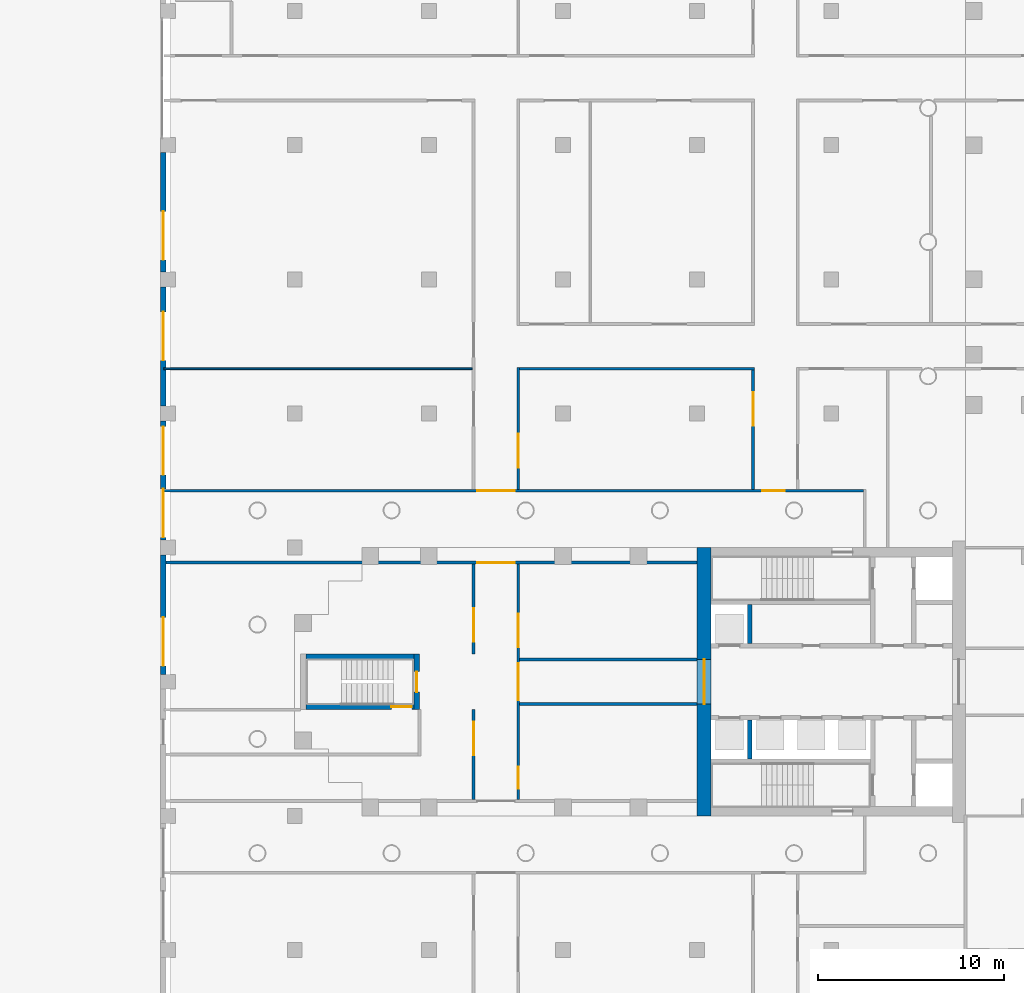
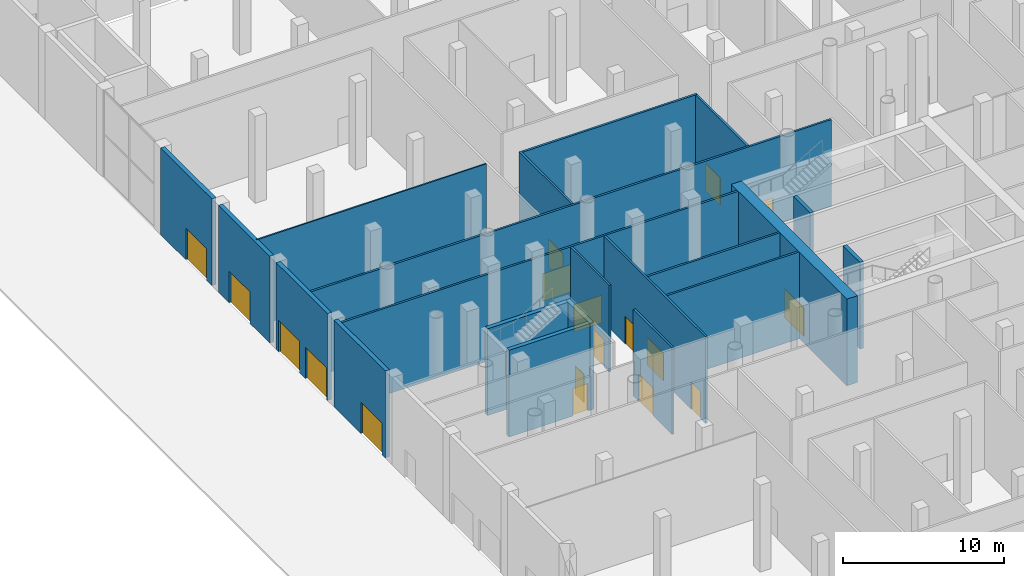
# One storey, part 22 of 44: 21 walls, 18 doors, 18 openings.
"""IFC4 building model written with IfcOpenShell, lengths in metres."""

from ifc_helpers import new_model, si_unit, direction, frame, frame_2d, origin, place, context, subcontext, project, spatial, rectangle, extrude, material, layer, layer_set, type_object, element, fill, save


model = new_model("IFC4")

# Units and contexts
model_context = context("Model", 3, precision=1e-05, world=origin(), true_north=direction((0.0, 1.0)))
body_context = subcontext(model_context, "Body", "Model", "MODEL_VIEW")
ifc_project = project(units=[si_unit("LENGTHUNIT", "METRE"), si_unit("AREAUNIT", "SQUARE_METRE"), si_unit("VOLUMEUNIT", "CUBIC_METRE"), si_unit("PLANEANGLEUNIT", "RADIAN"), si_unit("MASSUNIT", "GRAM", prefix="KILO")], contexts=[model_context])

# Site, building, storey
site_placement = place(None, origin())
site = spatial("IfcSite", under=ifc_project, at=site_placement, CompositionType="ELEMENT")
building_placement = place(site_placement, origin())
building = spatial("IfcBuilding", under=site, at=building_placement, Name="Fustian Cross Tower", CompositionType="ELEMENT")
storey_placement = place(building_placement, origin())
storey = spatial("IfcBuildingStorey", under=building, at=storey_placement, Name="L00", CompositionType="ELEMENT", Elevation=0.0)

# Wall, opening, door
ifc_material_1 = material(Name="Plasterboard on steel stud", Category="steel")
ifc_layer_1 = layer(ifc_material_1, 0.14990234375)
ifc_layer_set_1 = layer_set([ifc_layer_1], Name="Plasterboard on steel stud")
wall_type_1 = type_object("IfcWallType", Name="COMPARTMENT WALL 150 EI 60", PredefinedType="PARTITIONING", material=ifc_layer_set_1)
wall_1_placement = place(storey_placement, frame((-50.219970703125, 6.39990234375, 0.0), z_axis=(0.0, 0.0, 1.0), x_axis=(1.0, 0.0, 0.0)))
wall_1 = element("IfcWall", 1, at=wall_1_placement, inside=storey, type_object=wall_type_1, Name="Partition 8", PredefinedType="PARTITIONING", context=body_context, shape_type="SweptSolid", body=[
    extrude(rectangle(XDim=28.619873046875, YDim=0.14990234375, at=frame_2d((14.31005859375, 0.0))), origin(), (0.0, 0.0, 1.0), 6.60009765625),
])
opening_1_placement = place(wall_1_placement, frame((16.820068359375, 0.0, 0.0)))
opening_1 = element("IfcOpeningElement", 2, at=opening_1_placement, cuts=wall_1, Name="Opening D02022", PredefinedType="OPENING", context=body_context, shape_type="SweptSolid", body=[
    extrude(rectangle(XDim=2.0, YDim=2.10009765625, at=frame_2d((1.0, 1.050048828125))), frame((0.0, 0.0849609375, 0.0), z_axis=(0.0, -1.0, 0.0), x_axis=(1.0, 0.0, 0.0)), (0.0, 0.0, 1.0), 0.169921875),
])
ifc_material_2 = material(Name="Timber fire door set", Category="wood")
door_type_1 = type_object("IfcDoorType", Name="FIRE DOUBLE DOOR 2000 FD30S", OperationType="DOUBLE_DOOR_DOUBLE_SWING", PredefinedType="DOOR", material=ifc_material_2)
door_1_placement = place(opening_1_placement, frame((2.0, 0.0, 0.0), z_axis=(0.0, 0.0, 1.0), x_axis=(-1.0, 0.0, 0.0)))
door_1 = element("IfcDoor", 3, at=door_1_placement, inside=storey, type_object=door_type_1, Name="Door D02022", OperationType="DOUBLE_DOOR_DOUBLE_SWING", OverallHeight=2.10009765625, OverallWidth=2.0, PredefinedType="DOOR", context=body_context, shape_type="SweptSolid", body=[
    extrude(rectangle(XDim=2.0, YDim=2.10009765625, at=frame_2d((1.0, 1.050048828125))), frame((0.0, 0.02490234375, 0.0), z_axis=(0.0, -1.0, 0.0), x_axis=(1.0, 0.0, 0.0)), (0.0, 0.0, 1.0), 0.050048828125),
])
fill(opening_1, door_1)

# Wall, openings, doors
wall_2_placement = place(storey_placement, frame((-50.219970703125, 10.25, 0.0), z_axis=(0.0, 0.0, 1.0), x_axis=(1.0, 0.0, 0.0)))
wall_2 = element("IfcWall", 4, at=wall_2_placement, inside=storey, type_object=wall_type_1, Name="Partition 9", PredefinedType="PARTITIONING", context=body_context, shape_type="SweptSolid", body=[
    extrude(rectangle(XDim=37.544921875, YDim=0.14990234375, at=frame_2d((18.7724609375, 0.0))), origin(), (0.0, 0.0, 1.0), 6.60009765625),
])
opening_2_placement = place(wall_2_placement, frame((16.820068359375, 0.0, 0.0)))
opening_2 = element("IfcOpeningElement", 5, at=opening_2_placement, cuts=wall_2, Name="Opening D02023", PredefinedType="OPENING", context=body_context, shape_type="SweptSolid", body=[
    extrude(rectangle(XDim=2.0, YDim=2.10009765625, at=frame_2d((1.0, 1.050048828125))), frame((0.0, 0.0849609375, 0.0), z_axis=(0.0, -1.0, 0.0), x_axis=(1.0, 0.0, 0.0)), (0.0, 0.0, 1.0), 0.169921875),
])
opening_3_placement = place(wall_2_placement, frame((32.1201171875, 0.0, 0.0)))
opening_3 = element("IfcOpeningElement", 6, at=opening_3_placement, cuts=wall_2, Name="Opening D02024", PredefinedType="OPENING", context=body_context, shape_type="SweptSolid", body=[
    extrude(rectangle(XDim=1.199951171875, YDim=2.10009765625, at=frame_2d((0.60009765625, 1.050048828125))), frame((0.0, 0.0849609375, 0.0), z_axis=(0.0, -1.0, 0.0), x_axis=(1.0, 0.0, 0.0)), (0.0, 0.0, 1.0), 0.169921875),
])
door_2_placement = place(opening_2_placement, origin())
door_2 = element("IfcDoor", 7, at=door_2_placement, inside=storey, type_object=door_type_1, Name="Door D02023", OperationType="DOUBLE_DOOR_DOUBLE_SWING", OverallHeight=2.10009765625, OverallWidth=2.0, PredefinedType="DOOR", context=body_context, shape_type="SweptSolid", body=[
    extrude(rectangle(XDim=2.0, YDim=2.10009765625, at=frame_2d((1.0, 1.050048828125))), frame((0.0, 0.02490234375, 0.0), z_axis=(0.0, -1.0, 0.0), x_axis=(1.0, 0.0, 0.0)), (0.0, 0.0, 1.0), 0.050048828125),
])
fill(opening_2, door_2)
ifc_material_3 = material(Name="Timber fire door set", Category="wood")
door_type_2 = type_object("IfcDoorType", Name="FIRE SWING DOOR 1200 FD30S", OperationType="SINGLE_SWING_LEFT", PredefinedType="DOOR", material=ifc_material_3)
door_3_placement = place(opening_3_placement, origin())
door_3 = element("IfcDoor", 8, at=door_3_placement, inside=storey, type_object=door_type_2, Name="Door D02024", OperationType="SINGLE_SWING_LEFT", OverallHeight=2.10009765625, OverallWidth=1.199951171875, PredefinedType="DOOR", context=body_context, shape_type="SweptSolid", body=[
    extrude(rectangle(XDim=1.199951171875, YDim=2.10009765625, at=frame_2d((0.60009765625, 1.050048828125))), frame((0.0, 0.02490234375, 0.0), z_axis=(0.0, -1.0, 0.0), x_axis=(1.0, 0.0, 0.0)), (0.0, 0.0, 1.0), 0.050048828125),
])
fill(opening_3, door_3)

# Wall, opening, door
wall_3_placement = place(storey_placement, frame((-33.60009765625, -6.324951171875, 0.0), z_axis=(0.0, 0.0, 1.0), x_axis=(0.0, 1.0, 0.0)))
wall_3 = element("IfcWall", 9, at=wall_3_placement, inside=storey, type_object=wall_type_1, Name="Partition 19", PredefinedType="PARTITIONING", context=body_context, shape_type="SweptSolid", body=[
    extrude(rectangle(XDim=4.824951171875, YDim=0.14990234375, at=frame_2d((2.41259765625, 0.0))), origin(), (0.0, 0.0, 1.0), 6.60009765625),
])
opening_4_placement = place(wall_3_placement, frame((2.375, 0.0, 0.0)))
opening_4 = element("IfcOpeningElement", 10, at=opening_4_placement, cuts=wall_3, Name="Opening D02026", PredefinedType="OPENING", context=body_context, shape_type="SweptSolid", body=[
    extrude(rectangle(XDim=1.800048828125, YDim=2.10009765625, at=frame_2d((0.89990234375, 1.050048828125))), frame((0.0, 0.0849609375, 0.0), z_axis=(0.0, -1.0, 0.0), x_axis=(1.0, 0.0, 0.0)), (0.0, 0.0, 1.0), 0.169921875),
])
ifc_material_4 = material(Name="Timber fire door set", Category="wood")
door_type_3 = type_object("IfcDoorType", Name="FIRE DOUBLE DOOR 1800 FD30S", OperationType="DOUBLE_DOOR_DOUBLE_SWING", PredefinedType="DOOR", material=ifc_material_4)
door_4_placement = place(opening_4_placement, frame((1.800048828125, 0.0, 0.0), z_axis=(0.0, 0.0, 1.0), x_axis=(-1.0, 0.0, 0.0)))
door_4 = element("IfcDoor", 11, at=door_4_placement, inside=storey, type_object=door_type_3, Name="Door D02026", OperationType="DOUBLE_DOOR_DOUBLE_SWING", OverallHeight=2.10009765625, OverallWidth=1.800048828125, PredefinedType="DOOR", context=body_context, shape_type="SweptSolid", body=[
    extrude(rectangle(XDim=1.800048828125, YDim=2.10009765625, at=frame_2d((0.89990234375, 1.050048828125))), frame((0.0, 0.02490234375, 0.0), z_axis=(0.0, -1.0, 0.0), x_axis=(1.0, 0.0, 0.0)), (0.0, 0.0, 1.0), 0.050048828125),
])
fill(opening_4, door_4)

wall_4_placement = place(storey_placement, frame((-33.60009765625, 1.5, 0.0), z_axis=(0.0, 0.0, 1.0), x_axis=(0.0, 1.0, 0.0)))
wall_4 = element("IfcWall", 12, at=wall_4_placement, inside=storey, type_object=wall_type_1, Name="Partition 20", PredefinedType="PARTITIONING", context=body_context, shape_type="SweptSolid", body=[
    extrude(rectangle(XDim=4.824951171875, YDim=0.14990234375, at=frame_2d((2.41259765625, 0.0))), origin(), (0.0, 0.0, 1.0), 6.60009765625),
])
opening_5_placement = place(wall_4_placement, frame((0.64990234375, 0.0, 0.0)))
opening_5 = element("IfcOpeningElement", 13, at=opening_5_placement, cuts=wall_4, Name="Opening D02021", PredefinedType="OPENING", context=body_context, shape_type="SweptSolid", body=[
    extrude(rectangle(XDim=1.800048828125, YDim=2.10009765625, at=frame_2d((0.89990234375, 1.050048828125))), frame((0.0, 0.0849609375, 0.0), z_axis=(0.0, -1.0, 0.0), x_axis=(1.0, 0.0, 0.0)), (0.0, 0.0, 1.0), 0.169921875),
])
door_5_placement = place(opening_5_placement, frame((1.800048828125, 0.0, 0.0), z_axis=(0.0, 0.0, 1.0), x_axis=(-1.0, 0.0, 0.0)))
door_5 = element("IfcDoor", 14, at=door_5_placement, inside=storey, type_object=door_type_3, Name="Door D02021", OperationType="DOUBLE_DOOR_DOUBLE_SWING", OverallHeight=2.10009765625, OverallWidth=1.800048828125, PredefinedType="DOOR", context=body_context, shape_type="SweptSolid", body=[
    extrude(rectangle(XDim=1.800048828125, YDim=2.10009765625, at=frame_2d((0.89990234375, 1.050048828125))), frame((0.0, 0.02490234375, 0.0), z_axis=(0.0, -1.0, 0.0), x_axis=(1.0, 0.0, 0.0)), (0.0, 0.0, 1.0), 0.050048828125),
])
fill(opening_5, door_5)

# Wall, openings, doors
wall_5_placement = place(storey_placement, frame((-31.199951171875, -6.324951171875, 0.0), z_axis=(0.0, 0.0, 1.0), x_axis=(0.0, 1.0, 0.0)))
wall_5 = element("IfcWall", 15, at=wall_5_placement, inside=storey, type_object=wall_type_1, Name="Partition 28", PredefinedType="PARTITIONING", context=body_context, shape_type="SweptSolid", body=[
    extrude(rectangle(XDim=12.64990234375, YDim=0.14990234375, at=frame_2d((6.324951171875, 0.0))), origin(), (0.0, 0.0, 1.0), 6.60009765625),
])
opening_6_placement = place(wall_5_placement, frame((5.324951171875, 0.0, 0.0)))
opening_6 = element("IfcOpeningElement", 16, at=opening_6_placement, cuts=wall_5, Name="Opening D02034", PredefinedType="OPENING", context=body_context, shape_type="SweptSolid", body=[
    extrude(rectangle(XDim=2.0, YDim=2.10009765625, at=frame_2d((1.0, 1.050048828125))), frame((0.0, 0.0849609375, 0.0), z_axis=(0.0, -1.0, 0.0), x_axis=(1.0, 0.0, 0.0)), (0.0, 0.0, 1.0), 0.169921875),
])
opening_7_placement = place(wall_5_placement, frame((8.175048828125, 0.0, 0.0)))
opening_7 = element("IfcOpeningElement", 17, at=opening_7_placement, cuts=wall_5, Name="Opening D02069", PredefinedType="OPENING", context=body_context, shape_type="SweptSolid", body=[
    extrude(rectangle(XDim=1.800048828125, YDim=2.10009765625, at=frame_2d((0.89990234375, 1.050048828125))), frame((0.0, 0.0849609375, 0.0), z_axis=(0.0, -1.0, 0.0), x_axis=(1.0, 0.0, 0.0)), (0.0, 0.0, 1.0), 0.169921875),
])
opening_8_placement = place(wall_5_placement, frame((0.574951171875, 0.0, 0.0)))
opening_8 = element("IfcOpeningElement", 18, at=opening_8_placement, cuts=wall_5, Name="Opening D02097", PredefinedType="OPENING", context=body_context, shape_type="SweptSolid", body=[
    extrude(rectangle(XDim=1.199951171875, YDim=2.10009765625, at=frame_2d((0.60009765625, 1.050048828125))), frame((0.0, 0.0849609375, 0.0), z_axis=(0.0, -1.0, 0.0), x_axis=(1.0, 0.0, 0.0)), (0.0, 0.0, 1.0), 0.169921875),
])
door_6_placement = place(opening_7_placement, origin())
door_6 = element("IfcDoor", 19, at=door_6_placement, inside=storey, type_object=door_type_3, Name="Door D02069", OperationType="DOUBLE_DOOR_DOUBLE_SWING", OverallHeight=2.10009765625, OverallWidth=1.800048828125, PredefinedType="DOOR", context=body_context, shape_type="SweptSolid", body=[
    extrude(rectangle(XDim=1.800048828125, YDim=2.10009765625, at=frame_2d((0.89990234375, 1.050048828125))), frame((0.0, 0.02490234375, 0.0), z_axis=(0.0, -1.0, 0.0), x_axis=(1.0, 0.0, 0.0)), (0.0, 0.0, 1.0), 0.050048828125),
])
fill(opening_7, door_6)
door_7_placement = place(opening_6_placement, origin())
door_7 = element("IfcDoor", 20, at=door_7_placement, inside=storey, type_object=door_type_1, Name="Door D02034", OperationType="DOUBLE_DOOR_DOUBLE_SWING", OverallHeight=2.10009765625, OverallWidth=2.0, PredefinedType="DOOR", context=body_context, shape_type="SweptSolid", body=[
    extrude(rectangle(XDim=2.0, YDim=2.10009765625, at=frame_2d((1.0, 1.050048828125))), frame((0.0, 0.02490234375, 0.0), z_axis=(0.0, -1.0, 0.0), x_axis=(1.0, 0.0, 0.0)), (0.0, 0.0, 1.0), 0.050048828125),
])
fill(opening_6, door_7)
door_8_placement = place(opening_8_placement, frame((1.199951171875, 0.0, 0.0), z_axis=(0.0, 0.0, 1.0), x_axis=(-1.0, 0.0, 0.0)))
door_8 = element("IfcDoor", 21, at=door_8_placement, inside=storey, type_object=door_type_2, Name="Door D02097", OperationType="SINGLE_SWING_RIGHT", OverallHeight=2.10009765625, OverallWidth=1.199951171875, PredefinedType="DOOR", context=body_context, shape_type="SweptSolid", body=[
    extrude(rectangle(XDim=1.199951171875, YDim=2.10009765625, at=frame_2d((0.60009765625, 1.050048828125))), frame((0.0, 0.02490234375, 0.0), z_axis=(0.0, -1.0, 0.0), x_axis=(1.0, 0.0, 0.0)), (0.0, 0.0, 1.0), 0.050048828125),
])
fill(opening_8, door_8)

# Walls
for number, where, z_axis, x_axis, name in (
    (22, (-31.125, -1.199951171875, 0.0), (0.0, 0.0, 1.0), (1.0, 0.0, 0.0), "Partition 29"),
    (23, (-31.125, 1.199951171875, 0.0), (0.0, 0.0, 1.0), (1.0, 0.0, 0.0), "Partition 30"),
):
    element("IfcWall", number, at=place(storey_placement, frame(where, z_axis=z_axis, x_axis=x_axis)), inside=storey, type_object=wall_type_1, Name=name, PredefinedType="PARTITIONING", context=body_context, shape_type="SweptSolid", body=[
        extrude(rectangle(XDim=9.52490234375, YDim=0.14990234375, at=frame_2d((4.762451171875, 0.0))), origin(), (0.0, 0.0, 1.0), 6.60009765625),
    ])

# Wall, opening, door
wall_6_placement = place(storey_placement, frame((-31.199951171875, 10.324951171875, 0.0), z_axis=(0.0, 0.0, 1.0), x_axis=(0.0, 1.0, 0.0)))
wall_6 = element("IfcWall", 24, at=wall_6_placement, inside=storey, type_object=wall_type_1, Name="Partition 31", PredefinedType="PARTITIONING", context=body_context, shape_type="SweptSolid", body=[
    extrude(rectangle(XDim=6.550048828125, YDim=0.14990234375, at=frame_2d((3.27490234375, 0.0))), origin(), (0.0, 0.0, 1.0), 6.60009765625),
])
opening_9_placement = place(wall_6_placement, frame((1.175048828125, 0.0, 0.0)))
opening_9 = element("IfcOpeningElement", 25, at=opening_9_placement, cuts=wall_6, Name="Opening D02070", PredefinedType="OPENING", context=body_context, shape_type="SweptSolid", body=[
    extrude(rectangle(XDim=1.800048828125, YDim=2.10009765625, at=frame_2d((0.89990234375, 1.050048828125))), frame((0.0, 0.0849609375, 0.0), z_axis=(0.0, -1.0, 0.0), x_axis=(1.0, 0.0, 0.0)), (0.0, 0.0, 1.0), 0.169921875),
])
door_9_placement = place(opening_9_placement, origin())
door_9 = element("IfcDoor", 26, at=door_9_placement, inside=storey, type_object=door_type_3, Name="Door D02070", OperationType="DOUBLE_DOOR_DOUBLE_SWING", OverallHeight=2.10009765625, OverallWidth=1.800048828125, PredefinedType="DOOR", context=body_context, shape_type="SweptSolid", body=[
    extrude(rectangle(XDim=1.800048828125, YDim=2.10009765625, at=frame_2d((0.89990234375, 1.050048828125))), frame((0.0, 0.02490234375, 0.0), z_axis=(0.0, -1.0, 0.0), x_axis=(1.0, 0.0, 0.0)), (0.0, 0.0, 1.0), 0.050048828125),
])
fill(opening_9, door_9)

# Wall
wall_7_placement = place(storey_placement, frame((-31.125, 16.800048828125, 0.0), z_axis=(0.0, 0.0, 1.0), x_axis=(1.0, 0.0, 0.0)))
element("IfcWall", 27, at=wall_7_placement, inside=storey, type_object=wall_type_1, Name="Partition 32", PredefinedType="PARTITIONING", context=body_context, shape_type="SweptSolid", body=[
    extrude(rectangle(XDim=12.60009765625, YDim=0.14990234375, at=frame_2d((6.300048828125, 0.0))), origin(), (0.0, 0.0, 1.0), 6.60009765625),
])

# Wall, opening, door
wall_8_placement = place(storey_placement, frame((-18.60009765625, 10.324951171875, 0.0), z_axis=(0.0, 0.0, 1.0), x_axis=(0.0, 1.0, 0.0)))
wall_8 = element("IfcWall", 28, at=wall_8_placement, inside=storey, type_object=wall_type_1, Name="Partition 41", PredefinedType="PARTITIONING", context=body_context, shape_type="SweptSolid", body=[
    extrude(rectangle(XDim=6.400146484375, YDim=0.14990234375, at=frame_2d((3.2001953125, 0.0))), origin(), (0.0, 0.0, 1.0), 6.60009765625),
])
opening_10_placement = place(wall_8_placement, frame((3.425048828125, 0.0, 0.0)))
opening_10 = element("IfcOpeningElement", 29, at=opening_10_placement, cuts=wall_8, Name="Opening D02071", PredefinedType="OPENING", context=body_context, shape_type="SweptSolid", body=[
    extrude(rectangle(XDim=1.800048828125, YDim=2.10009765625, at=frame_2d((0.89990234375, 1.050048828125))), frame((0.0, 0.0849609375, 0.0), z_axis=(0.0, -1.0, 0.0), x_axis=(1.0, 0.0, 0.0)), (0.0, 0.0, 1.0), 0.169921875),
])
door_10_placement = place(opening_10_placement, frame((1.800048828125, 0.0, 0.0), z_axis=(0.0, 0.0, 1.0), x_axis=(-1.0, 0.0, 0.0)))
door_10 = element("IfcDoor", 30, at=door_10_placement, inside=storey, type_object=door_type_3, Name="Door D02071", OperationType="DOUBLE_DOOR_DOUBLE_SWING", OverallHeight=2.10009765625, OverallWidth=1.800048828125, PredefinedType="DOOR", context=body_context, shape_type="SweptSolid", body=[
    extrude(rectangle(XDim=1.800048828125, YDim=2.10009765625, at=frame_2d((0.89990234375, 1.050048828125))), frame((0.0, 0.02490234375, 0.0), z_axis=(0.0, -1.0, 0.0), x_axis=(1.0, 0.0, 0.0)), (0.0, 0.0, 1.0), 0.050048828125),
])
fill(opening_10, door_10)

ifc_material_5 = material(Name="Concrete C80/95", Category="concrete")
ifc_layer_2 = layer(ifc_material_5, 0.75)
ifc_layer_set_2 = layer_set([ifc_layer_2], Name="Concrete C80/95")
wall_type_2 = type_object("IfcWallType", Name="CORE END WALL 750 C80/95", PredefinedType="SHEAR", material=ifc_layer_set_2)
wall_9_placement = place(storey_placement, frame((-21.22509765625, -7.199951171875, 0.0), z_axis=(0.0, 0.0, 1.0), x_axis=(0.0, 1.0, 0.0)))
wall_9 = element("IfcWall", 31, at=wall_9_placement, inside=storey, type_object=wall_type_2, Name="Core end wall", PredefinedType="SHEAR", context=body_context, shape_type="SweptSolid", body=[
    extrude(rectangle(XDim=14.39990234375, YDim=0.75, at=frame_2d((7.199951171875, 0.0))), origin(), (0.0, 0.0, 1.0), 6.60009765625),
])
opening_11_placement = place(wall_9_placement, frame((6.0, 0.0, 0.0)))
opening_11 = element("IfcOpeningElement", 32, at=opening_11_placement, cuts=wall_9, Name="Opening CD-02-31", PredefinedType="OPENING", context=body_context, shape_type="SweptSolid", body=[
    extrude(rectangle(XDim=2.39990234375, YDim=2.199951171875, at=frame_2d((1.199951171875, 1.10009765625))), frame((0.0, 0.385009765625, 0.0), z_axis=(0.0, -1.0, 0.0), x_axis=(1.0, 0.0, 0.0)), (0.0, 0.0, 1.0), 0.77001953125),
])
ifc_material_6 = material(Name="Steel", Category="steel")
door_type_4 = type_object("IfcDoorType", Name="FIRE DOOR FD30S DOUBLE 2400X2200", OperationType="DOUBLE_DOOR_DOUBLE_SWING", PredefinedType="DOOR", material=ifc_material_6)
door_11_placement = place(opening_11_placement, frame((2.39990234375, 0.0, 0.0), z_axis=(0.0, 0.0, 1.0), x_axis=(-1.0, 0.0, 0.0)))
door_11 = element("IfcDoor", 33, at=door_11_placement, inside=storey, type_object=door_type_4, Name="Core door CD-02-31", OperationType="DOUBLE_DOOR_DOUBLE_SWING", OverallHeight=2.199951171875, OverallWidth=2.39990234375, PredefinedType="DOOR", context=body_context, shape_type="SweptSolid", body=[
    extrude(rectangle(XDim=2.39990234375, YDim=2.199951171875, at=frame_2d((1.199951171875, 1.10009765625))), frame((0.0, 0.02490234375, 0.0), z_axis=(0.0, -1.0, 0.0), x_axis=(1.0, 0.0, 0.0)), (0.0, 0.0, 1.0), 0.050048828125),
])
fill(opening_11, door_11)

ifc_material_7 = material(Name="Dark rainscreen cladding on blockwork", Category="masonry")
ifc_layer_3 = layer(ifc_material_7, 0.300048828125)
ifc_layer_set_3 = layer_set([ifc_layer_3], Name="Dark rainscreen cladding on blockwork")
wall_type_3 = type_object("IfcWallType", Name="EXTERNAL WALL 300 CLADDING", PredefinedType="SOLIDWALL", material=ifc_layer_set_3)
wall_10_placement = place(storey_placement, frame((-50.25, 28.39990234375, 0.0), z_axis=(0.0, 0.0, 1.0), x_axis=(0.0, -1.0, 0.0)))
wall_10 = element("IfcWall", 34, at=wall_10_placement, inside=storey, type_object=wall_type_3, Name="External wall W4", PredefinedType="SOLIDWALL", context=body_context, shape_type="SweptSolid", body=[
    extrude(rectangle(XDim=6.39990234375, YDim=0.300048828125, at=frame_2d((3.199951171875, 0.0))), origin(), (0.0, 0.0, 1.0), 6.60009765625),
])
opening_12_placement = place(wall_10_placement, frame((3.14990234375, 0.0, 0.0)))
opening_12 = element("IfcOpeningElement", 35, at=opening_12_placement, cuts=wall_10, Name="Opening EDP44", PredefinedType="OPENING", context=body_context, shape_type="SweptSolid", body=[
    extrude(rectangle(XDim=2.60009765625, YDim=2.39990234375, at=frame_2d((1.300048828125, 1.199951171875))), frame((0.0, 0.159912109375, 0.0), z_axis=(0.0, -1.0, 0.0), x_axis=(1.0, 0.0, 0.0)), (0.0, 0.0, 1.0), 0.320068359375),
])
ifc_material_8 = material(Name="Aluminium and glass", Category="aluminium")
door_type_5 = type_object("IfcDoorType", Name="ENTRANCE DOOR 2600", OperationType="DOUBLE_DOOR_SINGLE_SWING", PredefinedType="DOOR", material=ifc_material_8)
door_12_placement = place(opening_12_placement, frame((2.60009765625, 0.0, 0.0), z_axis=(0.0, 0.0, 1.0), x_axis=(-1.0, 0.0, 0.0)))
door_12 = element("IfcDoor", 36, at=door_12_placement, inside=storey, type_object=door_type_5, Name="Exit door 44", OperationType="DOUBLE_DOOR_DOUBLE_SWING", OverallHeight=2.39990234375, OverallWidth=2.60009765625, PredefinedType="DOOR", context=body_context, shape_type="SweptSolid", body=[
    extrude(rectangle(XDim=2.60009765625, YDim=2.39990234375, at=frame_2d((1.300048828125, 1.199951171875))), frame((0.0, 0.02490234375, 0.0), z_axis=(0.0, -1.0, 0.0), x_axis=(1.0, 0.0, 0.0)), (0.0, 0.0, 1.0), 0.050048828125),
])
fill(opening_12, door_12)

wall_11_placement = place(storey_placement, frame((-50.25, 21.199951171875, 0.0), z_axis=(0.0, 0.0, 1.0), x_axis=(0.0, -1.0, 0.0)))
wall_11 = element("IfcWall", 37, at=wall_11_placement, inside=storey, type_object=wall_type_3, Name="External wall W5", PredefinedType="SOLIDWALL", context=body_context, shape_type="SweptSolid", body=[
    extrude(rectangle(XDim=6.39990234375, YDim=0.300048828125, at=frame_2d((3.199951171875, 0.0))), origin(), (0.0, 0.0, 1.0), 6.60009765625),
])
opening_13_placement = place(wall_11_placement, frame((1.35009765625, 0.0, 0.0)))
opening_13 = element("IfcOpeningElement", 38, at=opening_13_placement, cuts=wall_11, Name="Opening EDP45", PredefinedType="OPENING", context=body_context, shape_type="SweptSolid", body=[
    extrude(rectangle(XDim=2.60009765625, YDim=2.39990234375, at=frame_2d((1.300048828125, 1.199951171875))), frame((0.0, 0.159912109375, 0.0), z_axis=(0.0, -1.0, 0.0), x_axis=(1.0, 0.0, 0.0)), (0.0, 0.0, 1.0), 0.320068359375),
])
door_13_placement = place(opening_13_placement, frame((2.60009765625, 0.0, 0.0), z_axis=(0.0, 0.0, 1.0), x_axis=(-1.0, 0.0, 0.0)))
door_13 = element("IfcDoor", 39, at=door_13_placement, inside=storey, type_object=door_type_5, Name="Exit door 45", OperationType="DOUBLE_DOOR_DOUBLE_SWING", OverallHeight=2.39990234375, OverallWidth=2.60009765625, PredefinedType="DOOR", context=body_context, shape_type="SweptSolid", body=[
    extrude(rectangle(XDim=2.60009765625, YDim=2.39990234375, at=frame_2d((1.300048828125, 1.199951171875))), frame((0.0, 0.02490234375, 0.0), z_axis=(0.0, -1.0, 0.0), x_axis=(1.0, 0.0, 0.0)), (0.0, 0.0, 1.0), 0.050048828125),
])
fill(opening_13, door_13)

# Wall, openings, doors
wall_12_placement = place(storey_placement, frame((-50.25, 14.0, 0.0), z_axis=(0.0, 0.0, 1.0), x_axis=(0.0, -1.0, 0.0)))
wall_12 = element("IfcWall", 40, at=wall_12_placement, inside=storey, type_object=wall_type_3, Name="External wall W6", PredefinedType="SOLIDWALL", context=body_context, shape_type="SweptSolid", body=[
    extrude(rectangle(XDim=6.39990234375, YDim=0.300048828125, at=frame_2d((3.199951171875, 0.0))), origin(), (0.0, 0.0, 1.0), 6.60009765625),
])
opening_14_placement = place(wall_12_placement, frame((0.300048828125, 0.0, 0.0)))
opening_14 = element("IfcOpeningElement", 41, at=opening_14_placement, cuts=wall_12, Name="Opening EDP46", PredefinedType="OPENING", context=body_context, shape_type="SweptSolid", body=[
    extrude(rectangle(XDim=2.60009765625, YDim=2.39990234375, at=frame_2d((1.300048828125, 1.199951171875))), frame((0.0, 0.159912109375, 0.0), z_axis=(0.0, -1.0, 0.0), x_axis=(1.0, 0.0, 0.0)), (0.0, 0.0, 1.0), 0.320068359375),
])
opening_15_placement = place(wall_12_placement, frame((3.64990234375, 0.0, 0.0)))
opening_15 = element("IfcOpeningElement", 42, at=opening_15_placement, cuts=wall_12, Name="Opening EDP47", PredefinedType="OPENING", context=body_context, shape_type="SweptSolid", body=[
    extrude(rectangle(XDim=2.60009765625, YDim=2.39990234375, at=frame_2d((1.300048828125, 1.199951171875))), frame((0.0, 0.159912109375, 0.0), z_axis=(0.0, -1.0, 0.0), x_axis=(1.0, 0.0, 0.0)), (0.0, 0.0, 1.0), 0.320068359375),
])
door_14_placement = place(opening_14_placement, frame((2.60009765625, 0.0, 0.0), z_axis=(0.0, 0.0, 1.0), x_axis=(-1.0, 0.0, 0.0)))
door_14 = element("IfcDoor", 43, at=door_14_placement, inside=storey, type_object=door_type_5, Name="Exit door 46", OperationType="DOUBLE_DOOR_DOUBLE_SWING", OverallHeight=2.39990234375, OverallWidth=2.60009765625, PredefinedType="DOOR", context=body_context, shape_type="SweptSolid", body=[
    extrude(rectangle(XDim=2.60009765625, YDim=2.39990234375, at=frame_2d((1.300048828125, 1.199951171875))), frame((0.0, 0.02490234375, 0.0), z_axis=(0.0, -1.0, 0.0), x_axis=(1.0, 0.0, 0.0)), (0.0, 0.0, 1.0), 0.050048828125),
])
fill(opening_14, door_14)
door_15_placement = place(opening_15_placement, frame((2.60009765625, 0.0, 0.0), z_axis=(0.0, 0.0, 1.0), x_axis=(-1.0, 0.0, 0.0)))
door_15 = element("IfcDoor", 44, at=door_15_placement, inside=storey, type_object=door_type_5, Name="Exit door 47", OperationType="DOUBLE_DOOR_DOUBLE_SWING", OverallHeight=2.39990234375, OverallWidth=2.60009765625, PredefinedType="DOOR", context=body_context, shape_type="SweptSolid", body=[
    extrude(rectangle(XDim=2.60009765625, YDim=2.39990234375, at=frame_2d((1.300048828125, 1.199951171875))), frame((0.0, 0.02490234375, 0.0), z_axis=(0.0, -1.0, 0.0), x_axis=(1.0, 0.0, 0.0)), (0.0, 0.0, 1.0), 0.050048828125),
])
fill(opening_15, door_15)

# Wall, opening, door
wall_13_placement = place(storey_placement, frame((-50.25, 6.800048828125, 0.0), z_axis=(0.0, 0.0, 1.0), x_axis=(0.0, -1.0, 0.0)))
wall_13 = element("IfcWall", 45, at=wall_13_placement, inside=storey, type_object=wall_type_3, Name="External wall W7", PredefinedType="SOLIDWALL", context=body_context, shape_type="SweptSolid", body=[
    extrude(rectangle(XDim=6.400146484375, YDim=0.300048828125, at=frame_2d((3.2001953125, 0.0))), origin(), (0.0, 0.0, 1.0), 6.60009765625),
])
opening_16_placement = place(wall_13_placement, frame((3.35009765625, 0.0, 0.0)))
opening_16 = element("IfcOpeningElement", 46, at=opening_16_placement, cuts=wall_13, Name="Opening EDP48", PredefinedType="OPENING", context=body_context, shape_type="SweptSolid", body=[
    extrude(rectangle(XDim=2.60009765625, YDim=2.39990234375, at=frame_2d((1.300048828125, 1.199951171875))), frame((0.0, 0.159912109375, 0.0), z_axis=(0.0, -1.0, 0.0), x_axis=(1.0, 0.0, 0.0)), (0.0, 0.0, 1.0), 0.320068359375),
])
door_16_placement = place(opening_16_placement, frame((2.60009765625, 0.0, 0.0), z_axis=(0.0, 0.0, 1.0), x_axis=(-1.0, 0.0, 0.0)))
door_16 = element("IfcDoor", 47, at=door_16_placement, inside=storey, type_object=door_type_5, Name="Exit door 48", OperationType="DOUBLE_DOOR_DOUBLE_SWING", OverallHeight=2.39990234375, OverallWidth=2.60009765625, PredefinedType="DOOR", context=body_context, shape_type="SweptSolid", body=[
    extrude(rectangle(XDim=2.60009765625, YDim=2.39990234375, at=frame_2d((1.300048828125, 1.199951171875))), frame((0.0, 0.02490234375, 0.0), z_axis=(0.0, -1.0, 0.0), x_axis=(1.0, 0.0, 0.0)), (0.0, 0.0, 1.0), 0.050048828125),
])
fill(opening_16, door_16)

# Walls
ifc_material_9 = material(Name="Plasterboard on steel stud", Category="steel")
ifc_layer_4 = layer(ifc_material_9, 0.10009765625)
ifc_layer_set_4 = layer_set([ifc_layer_4], Name="Plasterboard on steel stud")
wall_type_4 = type_object("IfcWallType", Name="PARTITION 100 STUD", PredefinedType="PARTITIONING", material=ifc_layer_set_4)
wall_14_placement = place(storey_placement, frame((-50.219970703125, 16.800048828125, 0.0), z_axis=(0.0, 0.0, 1.0), x_axis=(1.0, 0.0, 0.0)))
element("IfcWall", 48, at=wall_14_placement, inside=storey, type_object=wall_type_4, Name="Partition 10", PredefinedType="PARTITIONING", context=body_context, shape_type="SweptSolid", body=[
    extrude(rectangle(XDim=16.544921875, YDim=0.10009765625, at=frame_2d((8.2724609375, 0.0))), origin(), (0.0, 0.0, 1.0), 6.60009765625),
])
ifc_material_10 = material(Name="Concrete C40/50", Category="concrete")
ifc_layer_5 = layer(ifc_material_10, 0.25)
ifc_layer_set_5 = layer_set([ifc_layer_5], Name="Concrete C40/50")
wall_type_5 = type_object("IfcWallType", Name="SHAFT PARTITION WALL 250 C40/50", PredefinedType="PARTITIONING", material=ifc_layer_set_5)
for number, where, z_axis, x_axis, name in (
    (49, (-18.77490234375, 2.050048828125, 0.0), (0.0, 0.0, 1.0), (0.0, 1.0, 0.0), "Core shaft wall"),
    (50, (-18.77490234375, -2.050048828125, 0.0), (0.0, 0.0, 1.0), (0.0, -1.0, 0.0), "Core shaft wall"),
):
    element("IfcWall", number, at=place(storey_placement, frame(where, z_axis=z_axis, x_axis=x_axis)), inside=storey, type_object=wall_type_5, Name=name, PredefinedType="PARTITIONING", context=body_context, shape_type="SweptSolid", body=[
        extrude(rectangle(XDim=2.099853515625, YDim=0.25, at=frame_2d((1.0498046875, 0.0))), origin(), (0.0, 0.0, 1.0), 6.60009765625),
    ])

# Wall, opening, door
ifc_material_11 = material(Name="Concrete C50/60", Category="concrete")
ifc_layer_6 = layer(ifc_material_11, 0.300048828125)
ifc_layer_set_6 = layer_set([ifc_layer_6], Name="Concrete C50/60")
wall_type_6 = type_object("IfcWallType", Name="STAIR ENCLOSURE WALL 300 C50/60", PredefinedType="SHEAR", material=ifc_layer_set_6)
wall_15_placement = place(storey_placement, frame((-36.64990234375, -1.5, 0.0), z_axis=(0.0, 0.0, 1.0), x_axis=(0.0, 1.0, 0.0)))
wall_15 = element("IfcWall", 51, at=wall_15_placement, inside=storey, type_object=wall_type_6, Name="Stair enclosure wall", PredefinedType="SHEAR", context=body_context, shape_type="SweptSolid", body=[
    extrude(rectangle(XDim=3.0, YDim=0.300048828125, at=frame_2d((1.5, 0.0))), origin(), (0.0, 0.0, 1.0), 6.60009765625),
])
opening_17_placement = place(wall_15_placement, frame((0.949951171875, 0.0, 0.0)))
opening_17 = element("IfcOpeningElement", 52, at=opening_17_placement, cuts=wall_15, Name="Opening CD-02-36", PredefinedType="OPENING", context=body_context, shape_type="SweptSolid", body=[
    extrude(rectangle(XDim=1.10009765625, YDim=2.10009765625, at=frame_2d((0.550048828125, 1.050048828125))), frame((0.0, 0.159912109375, 0.0), z_axis=(0.0, -1.0, 0.0), x_axis=(1.0, 0.0, 0.0)), (0.0, 0.0, 1.0), 0.320068359375),
])
ifc_material_12 = material(Name="Steel", Category="steel")
door_type_6 = type_object("IfcDoorType", Name="FIRE DOOR FD60S 1100X2100", OperationType="SINGLE_SWING_LEFT", PredefinedType="DOOR", material=ifc_material_12)
door_17_placement = place(opening_17_placement, origin())
door_17 = element("IfcDoor", 53, at=door_17_placement, inside=storey, type_object=door_type_6, Name="Core door CD-02-36", OperationType="SINGLE_SWING_LEFT", OverallHeight=2.10009765625, OverallWidth=1.10009765625, PredefinedType="DOOR", context=body_context, shape_type="SweptSolid", body=[
    extrude(rectangle(XDim=1.10009765625, YDim=2.10009765625, at=frame_2d((0.550048828125, 1.050048828125))), frame((0.0, 0.02490234375, 0.0), z_axis=(0.0, -1.0, 0.0), x_axis=(1.0, 0.0, 0.0)), (0.0, 0.0, 1.0), 0.050048828125),
])
fill(opening_17, door_17)

wall_16_placement = place(storey_placement, frame((-36.800048828125, -1.35009765625, 0.0), z_axis=(0.0, 0.0, 1.0), x_axis=(-1.0, 0.0, 0.0)))
wall_16 = element("IfcWall", 54, at=wall_16_placement, inside=storey, type_object=wall_type_6, Name="Stair enclosure wall", PredefinedType="SHEAR", context=body_context, shape_type="SweptSolid", body=[
    extrude(rectangle(XDim=5.800048828125, YDim=0.300048828125, at=frame_2d((2.89990234375, 0.0))), origin(), (0.0, 0.0, 1.0), 6.60009765625),
])
opening_18_placement = place(wall_16_placement, frame((0.110107421875, 0.0, 0.0)))
opening_18 = element("IfcOpeningElement", 55, at=opening_18_placement, cuts=wall_16, Name="Opening CD-02-48", PredefinedType="OPENING", context=body_context, shape_type="SweptSolid", body=[
    extrude(rectangle(XDim=1.10009765625, YDim=2.10009765625, at=frame_2d((0.550048828125, 1.050048828125))), frame((0.0, 0.159912109375, 0.0), z_axis=(0.0, -1.0, 0.0), x_axis=(1.0, 0.0, 0.0)), (0.0, 0.0, 1.0), 0.320068359375),
])
door_18_placement = place(opening_18_placement, origin())
door_18 = element("IfcDoor", 56, at=door_18_placement, inside=storey, type_object=door_type_6, Name="Core door CD-02-48", OperationType="SINGLE_SWING_LEFT", OverallHeight=2.10009765625, OverallWidth=1.10009765625, PredefinedType="DOOR", context=body_context, shape_type="SweptSolid", body=[
    extrude(rectangle(XDim=1.10009765625, YDim=2.10009765625, at=frame_2d((0.550048828125, 1.050048828125))), frame((0.0, 0.02490234375, 0.0), z_axis=(0.0, -1.0, 0.0), x_axis=(1.0, 0.0, 0.0)), (0.0, 0.0, 1.0), 0.050048828125),
])
fill(opening_18, door_18)

# Wall
wall_17_placement = place(storey_placement, frame((-36.800048828125, 1.35009765625, 0.0), z_axis=(0.0, 0.0, 1.0), x_axis=(-1.0, 0.0, 0.0)))
element("IfcWall", 57, at=wall_17_placement, inside=storey, type_object=wall_type_6, Name="Stair enclosure wall", PredefinedType="SHEAR", context=body_context, shape_type="SweptSolid", body=[
    extrude(rectangle(XDim=5.800048828125, YDim=0.300048828125, at=frame_2d((2.89990234375, 0.0))), origin(), (0.0, 0.0, 1.0), 6.60009765625),
])

save(model, "model.ifc")
